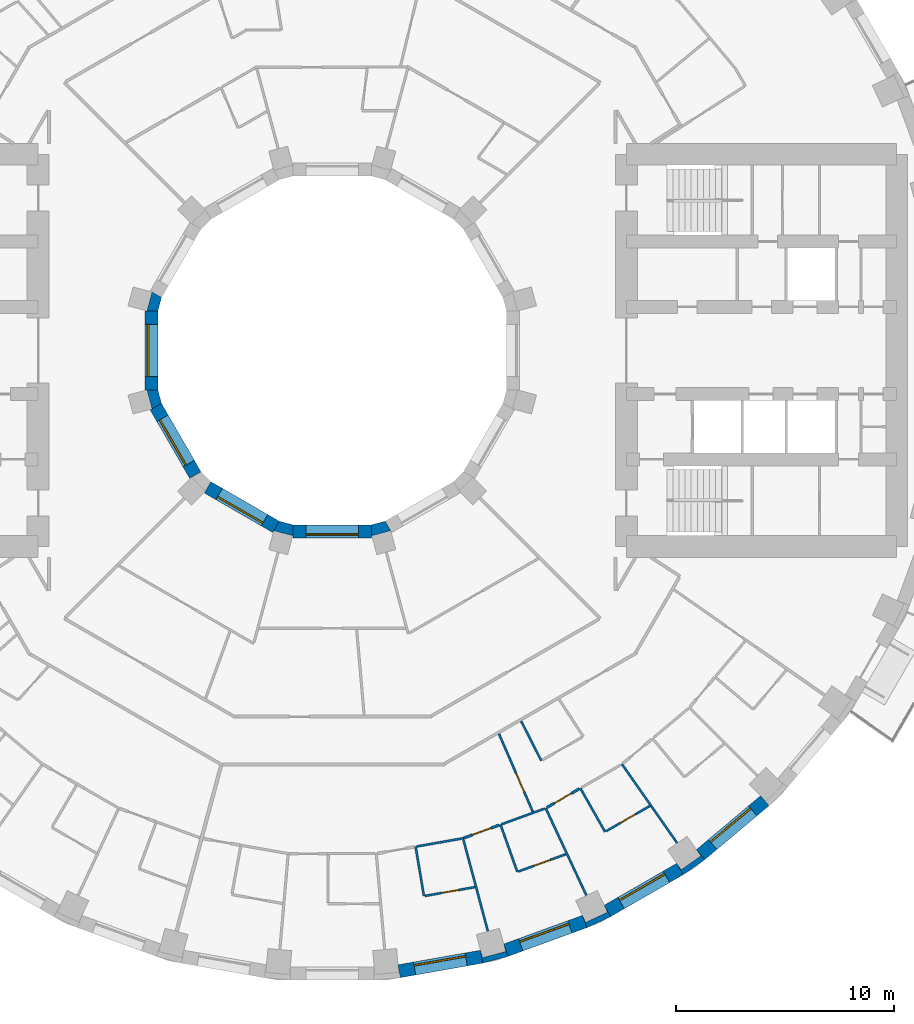
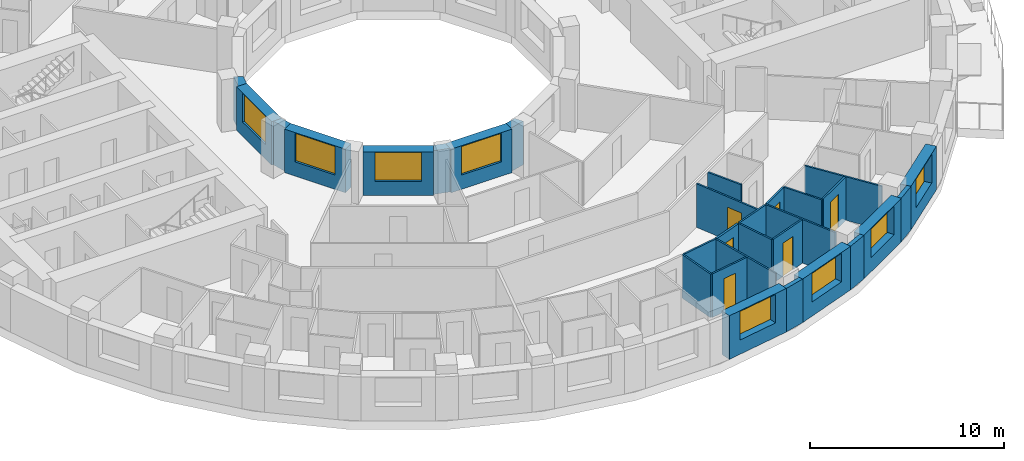
# One storey, part 5 of 14: 30 walls, 8 windows, 6 doors, 14 openings.
"""IFC4 building model written with IfcOpenShell, lengths in metres."""

from ifc_helpers import new_model, si_unit, direction, frame, frame_2d, origin, place, context, subcontext, project, spatial, polyline, rectangle, outline, extrude, material, layer, layer_set, type_object, element, fill, save


model = new_model("IFC4")

# Units and contexts
model_context = context("Model", 3, precision=1e-05, world=origin(), true_north=direction((0.0, 1.0)))
body_context = subcontext(model_context, "Body", "Model", "MODEL_VIEW")
ifc_project = project(units=[si_unit("LENGTHUNIT", "METRE"), si_unit("AREAUNIT", "SQUARE_METRE"), si_unit("VOLUMEUNIT", "CUBIC_METRE"), si_unit("PLANEANGLEUNIT", "RADIAN"), si_unit("MASSUNIT", "GRAM", prefix="KILO")], contexts=[model_context])

# Site, building, storey
site_placement = place(None, origin())
site = spatial("IfcSite", under=ifc_project, at=site_placement, CompositionType="ELEMENT")
building_placement = place(site_placement, origin())
building = spatial("IfcBuilding", under=site, at=building_placement, Name="Saqina Gate Tower", CompositionType="ELEMENT")
storey_placement = place(building_placement, frame((0.0, 0.0, 46.10009765625)))
storey = spatial("IfcBuildingStorey", under=building, at=storey_placement, Name="L12", CompositionType="ELEMENT", Elevation=46.10009765625)

# Walls
ifc_material_1 = material(Name="Brick masonry (red)", Category="masonry")
wall_type_1 = type_object("IfcWallType", Name="BRICK PIER COPING RED", PredefinedType="SOLIDWALL", material=ifc_material_1)
wall_1_placement = place(storey_placement, origin())
element("IfcWall", 1, at=wall_1_placement, inside=storey, type_object=wall_type_1, Name="Pier cap L12 column 29", PredefinedType="SOLIDWALL", context=body_context, shape_type="SweptSolid", body=[
    extrude(outline(polyline([(6.910400390625, -28.11669921875), (8.073974609375, -27.80517578125), (7.86865234375, -27.2412109375), (7.95947265625, -27.57958984375), (6.896728515625, -27.864501953125), (6.80615234375, -27.52587890625), (6.910400390625, -28.11669921875)])), origin(), (0.0, 0.0, 1.0), 2.75),
])
wall_2_placement = place(storey_placement, origin())
element("IfcWall", 2, at=wall_2_placement, inside=storey, type_object=wall_type_1, Name="Pier cap L12 column 30", PredefinedType="SOLIDWALL", context=body_context, shape_type="SweptSolid", body=[
    extrude(outline(polyline([(12.779541015625, -25.980712890625), (12.4794921875, -25.4609375), (12.627685546875, -25.778564453125), (11.630615234375, -26.243408203125), (11.482666015625, -25.92578125), (11.687744140625, -26.48974609375), (12.779541015625, -25.980712890625)])), origin(), (0.0, 0.0, 1.0), 2.75),
])
wall_3_placement = place(storey_placement, origin())
element("IfcWall", 3, at=wall_3_placement, inside=storey, type_object=wall_type_1, Name="Pier cap L12 column 31", PredefinedType="SOLIDWALL", context=body_context, shape_type="SweptSolid", body=[
    extrude(outline(polyline([(16.110107421875, -24.0576171875), (17.096923828125, -23.36669921875), (16.711181640625, -22.9072265625), (16.912109375, -23.194091796875), (16.010986328125, -23.8251953125), (15.81005859375, -23.5380859375), (16.110107421875, -24.0576171875)])), origin(), (0.0, 0.0, 1.0), 2.75),
])

# Wall, opening, window
ifc_material_2 = material(Name="Brick masonry (red)", Category="masonry")
ifc_layer_1 = layer(ifc_material_2, 0.60009765625)
ifc_layer_set_1 = layer_set([ifc_layer_1], Name="FW-BRICK-RED")
wall_type_2 = type_object("IfcWallType", Name="FW-BRICK-RED", PredefinedType="SOLIDWALL", material=ifc_layer_set_1)
wall_4_placement = place(storey_placement, frame((3.07080078125, -28.4892578125, 0.0), z_axis=(0.0, 0.0, 1.0), x_axis=(0.984800809218, 0.173687553279, 0.0)))
wall_4 = element("IfcWall", 4, at=wall_4_placement, inside=storey, type_object=wall_type_2, Name="Facade wall L12 facet 28", PredefinedType="SOLIDWALL", context=body_context, shape_type="SweptSolid", body=[
    extrude(rectangle(XDim=3.845703125, YDim=0.60009765625, at=frame_2d((1.9228515625, 0.0))), origin(), (0.0, 0.0, 1.0), 2.75),
])
opening_1_placement = place(wall_4_placement, frame((0.722900390625, 0.0, 0.89990234375)))
opening_1 = element("IfcOpeningElement", 5, at=opening_1_placement, cuts=wall_4, Name="Opening G03-W21", PredefinedType="OPENING", context=body_context, shape_type="SweptSolid", body=[
    extrude(rectangle(XDim=2.39990234375, YDim=1.800048828125, at=frame_2d((1.199951171875, 0.89990234375))), frame((0.0, 0.31201171875, 0.0), z_axis=(0.0, -1.0, 0.0), x_axis=(1.0, 0.0, 0.0)), (0.0, 0.0, 1.0), 0.6240234375),
])
ifc_material_3 = material(Name="Aluminium glazing", Category="aluminium")
window_type_1 = type_object("IfcWindowType", Name="WN-A", PartitioningType="SINGLE_PANEL", PredefinedType="WINDOW", material=ifc_material_3)
window_1_placement = place(opening_1_placement, origin())
window_1 = element("IfcWindow", 6, at=window_1_placement, inside=storey, type_object=window_type_1, Name="Window L12 facet 28", OverallHeight=1.800048828125, OverallWidth=2.39990234375, PartitioningType="SINGLE_PANEL", PredefinedType="WINDOW", context=body_context, shape_type="SweptSolid", body=[
    extrude(rectangle(XDim=2.39990234375, YDim=1.800048828125, at=frame_2d((1.199951171875, 0.89990234375))), frame((0.0, 0.179931640625, 0.0), z_axis=(0.0, -1.0, 0.0), x_axis=(1.0, 0.0, 0.0)), (0.0, 0.0, 1.0), 0.06005859375),
])
fill(opening_1, window_1)

wall_5_placement = place(storey_placement, frame((7.97119140625, -27.523193359375, 0.0), z_axis=(0.0, 0.0, 1.0), x_axis=(0.939689588564, 0.342028474173, 0.0)))
wall_5 = element("IfcWall", 7, at=wall_5_placement, inside=storey, type_object=wall_type_2, Name="Facade wall L12 facet 29", PredefinedType="SOLIDWALL", context=body_context, shape_type="SweptSolid", body=[
    extrude(rectangle(XDim=3.845947265625, YDim=0.60009765625, at=frame_2d((1.9228515625, 0.0))), origin(), (0.0, 0.0, 1.0), 2.75),
])
opening_2_placement = place(wall_5_placement, frame((0.722900390625, 0.0, 0.89990234375)))
opening_2 = element("IfcOpeningElement", 8, at=opening_2_placement, cuts=wall_5, Name="Opening G03-W22", PredefinedType="OPENING", context=body_context, shape_type="SweptSolid", body=[
    extrude(rectangle(XDim=2.39990234375, YDim=1.800048828125, at=frame_2d((1.199951171875, 0.89990234375))), frame((0.0, 0.31201171875, 0.0), z_axis=(0.0, -1.0, 0.0), x_axis=(1.0, 0.0, 0.0)), (0.0, 0.0, 1.0), 0.6240234375),
])
window_2_placement = place(opening_2_placement, origin())
window_2 = element("IfcWindow", 9, at=window_2_placement, inside=storey, type_object=window_type_1, Name="Window L12 facet 29", OverallHeight=1.800048828125, OverallWidth=2.39990234375, PartitioningType="SINGLE_PANEL", PredefinedType="WINDOW", context=body_context, shape_type="SweptSolid", body=[
    extrude(rectangle(XDim=2.39990234375, YDim=1.800048828125, at=frame_2d((1.199951171875, 0.89990234375))), frame((0.0, 0.179931640625, 0.0), z_axis=(0.0, -1.0, 0.0), x_axis=(1.0, 0.0, 0.0)), (0.0, 0.0, 1.0), 0.06005859375),
])
fill(opening_2, window_2)

wall_6_placement = place(storey_placement, frame((12.629638671875, -25.720703125, 0.0), z_axis=(0.0, 0.0, 1.0), x_axis=(0.86603124159, 0.499989888488, 0.0)))
wall_6 = element("IfcWall", 10, at=wall_6_placement, inside=storey, type_object=wall_type_2, Name="Facade wall L12 facet 30", PredefinedType="SOLIDWALL", context=body_context, shape_type="SweptSolid", body=[
    extrude(rectangle(XDim=3.845703125, YDim=0.60009765625, at=frame_2d((1.9228515625, 0.0))), origin(), (0.0, 0.0, 1.0), 2.75),
])
opening_3_placement = place(wall_6_placement, frame((0.722900390625, 0.0, 0.89990234375)))
opening_3 = element("IfcOpeningElement", 11, at=opening_3_placement, cuts=wall_6, Name="Opening G03-W23", PredefinedType="OPENING", context=body_context, shape_type="SweptSolid", body=[
    extrude(rectangle(XDim=2.39990234375, YDim=1.800048828125, at=frame_2d((1.199951171875, 0.89990234375))), frame((0.0, 0.31201171875, 0.0), z_axis=(0.0, -1.0, 0.0), x_axis=(1.0, 0.0, 0.0)), (0.0, 0.0, 1.0), 0.6240234375),
])
window_3_placement = place(opening_3_placement, origin())
window_3 = element("IfcWindow", 12, at=window_3_placement, inside=storey, type_object=window_type_1, Name="Window L12 facet 30", OverallHeight=1.800048828125, OverallWidth=2.39990234375, PartitioningType="SINGLE_PANEL", PredefinedType="WINDOW", context=body_context, shape_type="SweptSolid", body=[
    extrude(rectangle(XDim=2.39990234375, YDim=1.800048828125, at=frame_2d((1.199951171875, 0.89990234375))), frame((0.0, 0.179931640625, 0.0), z_axis=(0.0, -1.0, 0.0), x_axis=(1.0, 0.0, 0.0)), (0.0, 0.0, 1.0), 0.06005859375),
])
fill(opening_3, window_3)

wall_7_placement = place(storey_placement, frame((16.904052734375, -23.136962890625, 0.0), z_axis=(0.0, 0.0, 1.0), x_axis=(0.766026164483, 0.642809392687, 0.0)))
wall_7 = element("IfcWall", 13, at=wall_7_placement, inside=storey, type_object=wall_type_2, Name="Facade wall L12 facet 31", PredefinedType="SOLIDWALL", context=body_context, shape_type="SweptSolid", body=[
    extrude(rectangle(XDim=3.845947265625, YDim=0.60009765625, at=frame_2d((1.9228515625, 0.0))), origin(), (0.0, 0.0, 1.0), 2.75),
])
opening_4_placement = place(wall_7_placement, frame((0.722900390625, 0.0, 0.89990234375)))
opening_4 = element("IfcOpeningElement", 14, at=opening_4_placement, cuts=wall_7, Name="Opening G03-W24", PredefinedType="OPENING", context=body_context, shape_type="SweptSolid", body=[
    extrude(rectangle(XDim=2.39990234375, YDim=1.800048828125, at=frame_2d((1.199951171875, 0.89990234375))), frame((0.0, 0.31201171875, 0.0), z_axis=(0.0, -1.0, 0.0), x_axis=(1.0, 0.0, 0.0)), (0.0, 0.0, 1.0), 0.6240234375),
])
window_4_placement = place(opening_4_placement, origin())
window_4 = element("IfcWindow", 15, at=window_4_placement, inside=storey, type_object=window_type_1, Name="Window L12 facet 31", OverallHeight=1.800048828125, OverallWidth=2.39990234375, PartitioningType="SINGLE_PANEL", PredefinedType="WINDOW", context=body_context, shape_type="SweptSolid", body=[
    extrude(rectangle(XDim=2.39990234375, YDim=1.800048828125, at=frame_2d((1.199951171875, 0.89990234375))), frame((0.0, 0.179931640625, 0.0), z_axis=(0.0, -1.0, 0.0), x_axis=(1.0, 0.0, 0.0)), (0.0, 0.0, 1.0), 0.06005859375),
])
fill(opening_4, window_4)

ifc_material_4 = material(Name="Glazed ceramic tile", Category="ceramic")
ifc_layer_2 = layer(ifc_material_4, 0.60009765625)
ifc_layer_set_2 = layer_set([ifc_layer_2], Name="IW-TILE")
wall_type_3 = type_object("IfcWallType", Name="IW-TILE", PredefinedType="SOLIDWALL", material=ifc_layer_set_2)
wall_8_placement = place(storey_placement, frame((-8.300048828125, 1.8125, 0.0), z_axis=(0.0, 0.0, 1.0), x_axis=(0.0, -1.0, 0.0)))
wall_8 = element("IfcWall", 16, at=wall_8_placement, inside=storey, type_object=wall_type_3, Name="Well wall L12 facet 6", PredefinedType="SOLIDWALL", context=body_context, shape_type="SweptSolid", body=[
    extrude(rectangle(XDim=3.625, YDim=0.60009765625, at=frame_2d((1.8125, 0.0))), origin(), (0.0, 0.0, 1.0), 2.75),
])
opening_5_placement = place(wall_8_placement, frame((0.612548828125, 0.0, 0.89990234375)))
opening_5 = element("IfcOpeningElement", 17, at=opening_5_placement, cuts=wall_8, Name="Opening G03-W31", PredefinedType="OPENING", context=body_context, shape_type="SweptSolid", body=[
    extrude(rectangle(XDim=2.39990234375, YDim=1.800048828125, at=frame_2d((1.199951171875, 0.89990234375))), frame((0.0, 0.31201171875, 0.0), z_axis=(0.0, -1.0, 0.0), x_axis=(1.0, 0.0, 0.0)), (0.0, 0.0, 1.0), 0.6240234375),
])
ifc_material_5 = material(Name="Aluminium glazing", Category="aluminium")
window_type_2 = type_object("IfcWindowType", Name="WN-W", PartitioningType="SINGLE_PANEL", PredefinedType="WINDOW", material=ifc_material_5)
window_5_placement = place(opening_5_placement, origin())
window_5 = element("IfcWindow", 18, at=window_5_placement, inside=storey, type_object=window_type_2, Name="Well window L12 facet 6", OverallHeight=1.800048828125, OverallWidth=2.39990234375, PartitioningType="SINGLE_PANEL", PredefinedType="WINDOW", context=body_context, shape_type="SweptSolid", body=[
    extrude(rectangle(XDim=2.39990234375, YDim=1.800048828125, at=frame_2d((1.199951171875, 0.89990234375))), frame((0.0, -0.119873046875, 0.0), z_axis=(0.0, -1.0, 0.0), x_axis=(1.0, 0.0, 0.0)), (0.0, 0.0, 1.0), 0.06005859375),
])
fill(opening_5, window_5)

wall_9_placement = place(storey_placement, frame((-8.09423828125, -2.580322265625, 0.0), z_axis=(0.0, 0.0, 1.0), x_axis=(0.499992569217, -0.866029693906, 0.0)))
wall_9 = element("IfcWall", 19, at=wall_9_placement, inside=storey, type_object=wall_type_3, Name="Well wall L12 facet 7", PredefinedType="SOLIDWALL", context=body_context, shape_type="SweptSolid", body=[
    extrude(rectangle(XDim=3.625, YDim=0.60009765625, at=frame_2d((1.8125, 0.0))), origin(), (0.0, 0.0, 1.0), 2.75),
])
opening_6_placement = place(wall_9_placement, frame((0.612548828125, 0.0, 0.89990234375)))
opening_6 = element("IfcOpeningElement", 20, at=opening_6_placement, cuts=wall_9, Name="Opening G03-W32", PredefinedType="OPENING", context=body_context, shape_type="SweptSolid", body=[
    extrude(rectangle(XDim=2.39990234375, YDim=1.800048828125, at=frame_2d((1.199951171875, 0.89990234375))), frame((0.0, 0.31201171875, 0.0), z_axis=(0.0, -1.0, 0.0), x_axis=(1.0, 0.0, 0.0)), (0.0, 0.0, 1.0), 0.6240234375),
])
window_6_placement = place(opening_6_placement, origin())
window_6 = element("IfcWindow", 21, at=window_6_placement, inside=storey, type_object=window_type_2, Name="Well window L12 facet 7", OverallHeight=1.800048828125, OverallWidth=2.39990234375, PartitioningType="SINGLE_PANEL", PredefinedType="WINDOW", context=body_context, shape_type="SweptSolid", body=[
    extrude(rectangle(XDim=2.39990234375, YDim=1.800048828125, at=frame_2d((1.199951171875, 0.89990234375))), frame((0.0, -0.119873046875, 0.0), z_axis=(0.0, -1.0, 0.0), x_axis=(1.0, 0.0, 0.0)), (0.0, 0.0, 1.0), 0.06005859375),
])
fill(opening_6, window_6)

wall_10_placement = place(storey_placement, frame((-5.7197265625, -6.28173828125, 0.0), z_axis=(0.0, 0.0, 1.0), x_axis=(0.866029693906, -0.499992569217, 0.0)))
wall_10 = element("IfcWall", 22, at=wall_10_placement, inside=storey, type_object=wall_type_3, Name="Well wall L12 facet 8", PredefinedType="SOLIDWALL", context=body_context, shape_type="SweptSolid", body=[
    extrude(rectangle(XDim=3.625, YDim=0.60009765625, at=frame_2d((1.8125, 0.0))), origin(), (0.0, 0.0, 1.0), 2.75),
])
opening_7_placement = place(wall_10_placement, frame((0.612548828125, 0.0, 0.89990234375)))
opening_7 = element("IfcOpeningElement", 23, at=opening_7_placement, cuts=wall_10, Name="Opening G03-W33", PredefinedType="OPENING", context=body_context, shape_type="SweptSolid", body=[
    extrude(rectangle(XDim=2.39990234375, YDim=1.800048828125, at=frame_2d((1.199951171875, 0.89990234375))), frame((0.0, 0.31201171875, 0.0), z_axis=(0.0, -1.0, 0.0), x_axis=(1.0, 0.0, 0.0)), (0.0, 0.0, 1.0), 0.6240234375),
])
window_7_placement = place(opening_7_placement, origin())
window_7 = element("IfcWindow", 24, at=window_7_placement, inside=storey, type_object=window_type_2, Name="Well window L12 facet 8", OverallHeight=1.800048828125, OverallWidth=2.39990234375, PartitioningType="SINGLE_PANEL", PredefinedType="WINDOW", context=body_context, shape_type="SweptSolid", body=[
    extrude(rectangle(XDim=2.39990234375, YDim=1.800048828125, at=frame_2d((1.199951171875, 0.89990234375))), frame((0.0, -0.119873046875, 0.0), z_axis=(0.0, -1.0, 0.0), x_axis=(1.0, 0.0, 0.0)), (0.0, 0.0, 1.0), 0.06005859375),
])
fill(opening_7, window_7)

wall_11_placement = place(storey_placement, frame((-1.8125, -8.300048828125, 0.0), z_axis=(0.0, 0.0, 1.0), x_axis=(1.0, 0.0, 0.0)))
wall_11 = element("IfcWall", 25, at=wall_11_placement, inside=storey, type_object=wall_type_3, Name="Well wall L12 facet 9", PredefinedType="SOLIDWALL", context=body_context, shape_type="SweptSolid", body=[
    extrude(rectangle(XDim=3.625, YDim=0.60009765625, at=frame_2d((1.8125, 0.0))), origin(), (0.0, 0.0, 1.0), 2.75),
])
opening_8_placement = place(wall_11_placement, frame((0.612548828125, 0.0, 0.89990234375)))
opening_8 = element("IfcOpeningElement", 26, at=opening_8_placement, cuts=wall_11, Name="Opening G03-W34", PredefinedType="OPENING", context=body_context, shape_type="SweptSolid", body=[
    extrude(rectangle(XDim=2.39990234375, YDim=1.800048828125, at=frame_2d((1.199951171875, 0.89990234375))), frame((0.0, 0.31201171875, 0.0), z_axis=(0.0, -1.0, 0.0), x_axis=(1.0, 0.0, 0.0)), (0.0, 0.0, 1.0), 0.6240234375),
])
window_8_placement = place(opening_8_placement, origin())
window_8 = element("IfcWindow", 27, at=window_8_placement, inside=storey, type_object=window_type_2, Name="Well window L12 facet 9", OverallHeight=1.800048828125, OverallWidth=2.39990234375, PartitioningType="SINGLE_PANEL", PredefinedType="WINDOW", context=body_context, shape_type="SweptSolid", body=[
    extrude(rectangle(XDim=2.39990234375, YDim=1.800048828125, at=frame_2d((1.199951171875, 0.89990234375))), frame((0.0, -0.119873046875, 0.0), z_axis=(0.0, -1.0, 0.0), x_axis=(1.0, 0.0, 0.0)), (0.0, 0.0, 1.0), 0.06005859375),
])
fill(opening_8, window_8)

# Walls
ifc_material_6 = material(Name="Gypsum board on steel studs, 100 mm", Category="steel")
ifc_layer_3 = layer(ifc_material_6, 0.10009765625)
ifc_layer_set_3 = layer_set([ifc_layer_3], Name="PARTITION 100")
wall_type_4 = type_object("IfcWallType", Name="PARTITION 100", PredefinedType="PARTITIONING", material=ifc_layer_set_3)
wall_12_placement = place(storey_placement, frame((3.826904296875, -22.77099609375, 0.0), z_axis=(0.0, 0.0, 1.0), x_axis=(0.165707124798, -0.98617500921, 0.0)))
element("IfcWall", 28, at=wall_12_placement, inside=storey, type_object=wall_type_4, Name="PARTITION PW3-05", PredefinedType="PARTITIONING", context=body_context, shape_type="SweptSolid", body=[
    extrude(rectangle(XDim=2.2998046875, YDim=0.10009765625, at=frame_2d((1.14990234375, 0.0))), origin(), (0.0, 0.0, 1.0), 2.75),
])
wall_13_placement = place(storey_placement, frame((6.018310546875, -22.447509765625, 0.0), z_axis=(0.0, 0.0, 1.0), x_axis=(0.258193625059, -0.966093190111, 0.0)))
element("IfcWall", 29, at=wall_13_placement, inside=storey, type_object=wall_type_4, Name="PARTITION PW3-08", PredefinedType="PARTITIONING", context=body_context, shape_type="SweptSolid", body=[
    extrude(rectangle(XDim=4.349609375, YDim=0.10009765625, at=frame_2d((2.1748046875, 0.0))), origin(), (0.0, 0.0, 1.0), 2.75),
])
wall_14_placement = place(storey_placement, frame((7.722900390625, -21.760009765625, 0.0), z_axis=(0.0, 0.0, 1.0), x_axis=(0.334695622164, -0.942326291952, 0.0)))
element("IfcWall", 30, at=wall_14_placement, inside=storey, type_object=wall_type_4, Name="PARTITION PW3-11", PredefinedType="PARTITIONING", context=body_context, shape_type="SweptSolid", body=[
    extrude(rectangle(XDim=2.300537109375, YDim=0.10009765625, at=frame_2d((1.150390625, 0.0))), origin(), (0.0, 0.0, 1.0), 2.75),
])

# Wall, opening, door
wall_15_placement = place(storey_placement, frame((7.64990234375, -17.59423828125, 0.0), z_axis=(0.0, 0.0, 1.0), x_axis=(0.398813158587, -0.917032204744, 0.0)))
wall_15 = element("IfcWall", 31, at=wall_15_placement, inside=storey, type_object=wall_type_4, Name="PARTITION PW3-14", PredefinedType="PARTITIONING", context=body_context, shape_type="SweptSolid", body=[
    extrude(rectangle(XDim=3.89697265625, YDim=0.10009765625, at=frame_2d((1.948486328125, 0.0))), origin(), (0.0, 0.0, 1.0), 2.75),
])
opening_9_placement = place(wall_15_placement, frame((1.9921875, 0.0, 0.0)))
opening_9 = element("IfcOpeningElement", 32, at=opening_9_placement, cuts=wall_15, Name="Opening G03-D64", PredefinedType="OPENING", context=body_context, shape_type="SweptSolid", body=[
    extrude(rectangle(XDim=0.89990234375, YDim=2.10009765625, at=frame_2d((0.449951171875, 1.050048828125))), frame((0.0, 0.06201171875, 0.0), z_axis=(0.0, -1.0, 0.0), x_axis=(1.0, 0.0, 0.0)), (0.0, 0.0, 1.0), 0.1240234375),
])
ifc_material_7 = material(Name="Timber door leaf, 900 mm", Category="wood")
door_type_1 = type_object("IfcDoorType", Name="DOOR 900 TIMBER", OperationType="SINGLE_SWING_LEFT", PredefinedType="DOOR", material=ifc_material_7)
door_1_placement = place(opening_9_placement, frame((0.89990234375, 0.0, 0.0), z_axis=(0.0, 0.0, 1.0), x_axis=(-1.0, 0.0, 0.0)))
door_1 = element("IfcDoor", 33, at=door_1_placement, inside=storey, type_object=door_type_1, Name="DOOR G03-D64", OperationType="SINGLE_SWING_LEFT", OverallHeight=2.10009765625, OverallWidth=0.89990234375, PredefinedType="DOOR", context=body_context, shape_type="SweptSolid", body=[
    extrude(rectangle(XDim=0.89990234375, YDim=2.10009765625, at=frame_2d((0.449951171875, 1.050048828125))), frame((0.0, 0.02490234375, 0.0), z_axis=(0.0, -1.0, 0.0), x_axis=(1.0, 0.0, 0.0)), (0.0, 0.0, 1.0), 0.050048828125),
])
fill(opening_9, door_1)

# Walls
wall_16_placement = place(storey_placement, frame((9.794921875, -21.006103515625, 0.0), z_axis=(0.0, 0.0, 1.0), x_axis=(0.422658280027, -0.906289125127, 0.0)))
element("IfcWall", 34, at=wall_16_placement, inside=storey, type_object=wall_type_4, Name="PARTITION PW3-16", PredefinedType="PARTITIONING", context=body_context, shape_type="SweptSolid", body=[
    extrude(rectangle(XDim=4.41259765625, YDim=0.10009765625, at=frame_2d((2.206298828125, 0.0))), origin(), (0.0, 0.0, 1.0), 2.75),
])
wall_17_placement = place(storey_placement, frame((8.66650390625, -17.0078125, 0.0), z_axis=(0.0, 0.0, 1.0), x_axis=(0.453664033068, -0.891172791944, 0.0)))
element("IfcWall", 35, at=wall_17_placement, inside=storey, type_object=wall_type_4, Name="PARTITION PW3-17", PredefinedType="PARTITIONING", context=body_context, shape_type="SweptSolid", body=[
    extrude(rectangle(XDim=2.0400390625, YDim=0.10009765625, at=frame_2d((1.02001953125, 0.0))), origin(), (0.0, 0.0, 1.0), 2.75),
])
wall_18_placement = place(storey_placement, frame((11.385009765625, -20.089111328125, 0.0), z_axis=(0.0, 0.0, 1.0), x_axis=(0.49306078006, -0.869994866173, 0.0)))
element("IfcWall", 36, at=wall_18_placement, inside=storey, type_object=wall_type_4, Name="PARTITION PW3-19", PredefinedType="PARTITIONING", context=body_context, shape_type="SweptSolid", body=[
    extrude(rectangle(XDim=2.300048828125, YDim=0.10009765625, at=frame_2d((1.14990234375, 0.0))), origin(), (0.0, 0.0, 1.0), 2.75),
])
wall_19_placement = place(storey_placement, frame((13.2939453125, -18.986083984375, 0.0), z_axis=(0.0, 0.0, 1.0), x_axis=(0.573391786342, -0.819281306607, 0.0)))
element("IfcWall", 37, at=wall_19_placement, inside=storey, type_object=wall_type_4, Name="PARTITION PW3-25", PredefinedType="PARTITIONING", context=body_context, shape_type="SweptSolid", body=[
    extrude(rectangle(XDim=4.412353515625, YDim=0.10009765625, at=frame_2d((2.2060546875, 0.0))), origin(), (0.0, 0.0, 1.0), 2.75),
])

# Wall, opening, door
wall_20_placement = place(storey_placement, frame((4.25732421875, -25.0302734375, 0.0), z_axis=(0.0, 0.0, 1.0), x_axis=(0.984818426074, 0.173587636842, 0.0)))
wall_20 = element("IfcWall", 38, at=wall_20_placement, inside=storey, type_object=wall_type_4, Name="PARTITION PW3-70", PredefinedType="PARTITIONING", context=body_context, shape_type="SweptSolid", body=[
    extrude(rectangle(XDim=2.324951171875, YDim=0.10009765625, at=frame_2d((1.16259765625, 0.0))), origin(), (0.0, 0.0, 1.0), 2.75),
])
opening_10_placement = place(wall_20_placement, frame((0.762451171875, 0.0, 0.0)))
opening_10 = element("IfcOpeningElement", 39, at=opening_10_placement, cuts=wall_20, Name="Opening G03-D61", PredefinedType="OPENING", context=body_context, shape_type="SweptSolid", body=[
    extrude(rectangle(XDim=0.800048828125, YDim=2.10009765625, at=frame_2d((0.39990234375, 1.050048828125))), frame((0.0, 0.06201171875, 0.0), z_axis=(0.0, -1.0, 0.0), x_axis=(1.0, 0.0, 0.0)), (0.0, 0.0, 1.0), 0.1240234375),
])
ifc_material_8 = material(Name="Timber door leaf, 800 mm", Category="wood")
door_type_2 = type_object("IfcDoorType", Name="DOOR 800 TIMBER", OperationType="SINGLE_SWING_LEFT", PredefinedType="DOOR", material=ifc_material_8)
door_2_placement = place(opening_10_placement, frame((0.800048828125, 0.0, 0.0), z_axis=(0.0, 0.0, 1.0), x_axis=(-1.0, 0.0, 0.0)))
door_2 = element("IfcDoor", 40, at=door_2_placement, inside=storey, type_object=door_type_2, Name="DOOR G03-D61", OperationType="SINGLE_SWING_RIGHT", OverallHeight=2.10009765625, OverallWidth=0.800048828125, PredefinedType="DOOR", context=body_context, shape_type="SweptSolid", body=[
    extrude(rectangle(XDim=0.800048828125, YDim=2.10009765625, at=frame_2d((0.39990234375, 1.050048828125))), frame((0.0, 0.02490234375, 0.0), z_axis=(0.0, -1.0, 0.0), x_axis=(1.0, 0.0, 0.0)), (0.0, 0.0, 1.0), 0.050048828125),
])
fill(opening_10, door_2)

# Wall
wall_21_placement = place(storey_placement, frame((3.876220703125, -22.76220703125, 0.0), z_axis=(0.0, 0.0, 1.0), x_axis=(0.98481362095, 0.173614895648, 0.0)))
element("IfcWall", 41, at=wall_21_placement, inside=storey, type_object=wall_type_4, Name="PARTITION PW3-71", PredefinedType="PARTITIONING", context=body_context, shape_type="SweptSolid", body=[
    extrude(rectangle(XDim=2.206298828125, YDim=0.10009765625, at=frame_2d((1.10302734375, 0.0))), origin(), (0.0, 0.0, 1.0), 2.75),
])

# Wall, opening, door
wall_22_placement = place(storey_placement, frame((8.5400390625, -23.910888671875, 0.0), z_axis=(0.0, 0.0, 1.0), x_axis=(0.939716717369, 0.34195393125, 0.0)))
wall_22 = element("IfcWall", 42, at=wall_22_placement, inside=storey, type_object=wall_type_4, Name="PARTITION PW3-74", PredefinedType="PARTITIONING", context=body_context, shape_type="SweptSolid", body=[
    extrude(rectangle(XDim=2.323974609375, YDim=0.10009765625, at=frame_2d((1.162109375, 0.0))), origin(), (0.0, 0.0, 1.0), 2.75),
])
opening_11_placement = place(wall_22_placement, frame((0.76220703125, 0.0, 0.0)))
opening_11 = element("IfcOpeningElement", 43, at=opening_11_placement, cuts=wall_22, Name="Opening G03-D63", PredefinedType="OPENING", context=body_context, shape_type="SweptSolid", body=[
    extrude(rectangle(XDim=0.800048828125, YDim=2.10009765625, at=frame_2d((0.39990234375, 1.050048828125))), frame((0.0, 0.06201171875, 0.0), z_axis=(0.0, -1.0, 0.0), x_axis=(1.0, 0.0, 0.0)), (0.0, 0.0, 1.0), 0.1240234375),
])
door_3_placement = place(opening_11_placement, frame((0.800048828125, 0.0, 0.0), z_axis=(0.0, 0.0, 1.0), x_axis=(-1.0, 0.0, 0.0)))
door_3 = element("IfcDoor", 44, at=door_3_placement, inside=storey, type_object=door_type_2, Name="DOOR G03-D63", OperationType="SINGLE_SWING_LEFT", OverallHeight=2.10009765625, OverallWidth=0.800048828125, PredefinedType="DOOR", context=body_context, shape_type="SweptSolid", body=[
    extrude(rectangle(XDim=0.800048828125, YDim=2.10009765625, at=frame_2d((0.39990234375, 1.050048828125))), frame((0.0, 0.02490234375, 0.0), z_axis=(0.0, -1.0, 0.0), x_axis=(1.0, 0.0, 0.0)), (0.0, 0.0, 1.0), 0.050048828125),
])
fill(opening_11, door_3)

# Wall
wall_23_placement = place(storey_placement, frame((7.77001953125, -21.742919921875, 0.0), z_axis=(0.0, 0.0, 1.0), x_axis=(0.939725675468, 0.341929312674, 0.0)))
element("IfcWall", 45, at=wall_23_placement, inside=storey, type_object=wall_type_4, Name="PARTITION PW3-75", PredefinedType="PARTITIONING", context=body_context, shape_type="SweptSolid", body=[
    extrude(rectangle(XDim=2.10498046875, YDim=0.10009765625, at=frame_2d((1.052490234375, 0.0))), origin(), (0.0, 0.0, 1.0), 2.75),
])

# Wall, opening, door
wall_24_placement = place(storey_placement, frame((12.562255859375, -22.06494140625, 0.0), z_axis=(0.0, 0.0, 1.0), x_axis=(0.865919666768, 0.50018309718, 0.0)))
wall_24 = element("IfcWall", 46, at=wall_24_placement, inside=storey, type_object=wall_type_4, Name="PARTITION PW3-79", PredefinedType="PARTITIONING", context=body_context, shape_type="SweptSolid", body=[
    extrude(rectangle(XDim=2.324462890625, YDim=0.10009765625, at=frame_2d((1.162109375, 0.0))), origin(), (0.0, 0.0, 1.0), 2.75),
])
opening_12_placement = place(wall_24_placement, frame((0.76220703125, 0.0, 0.0)))
opening_12 = element("IfcOpeningElement", 47, at=opening_12_placement, cuts=wall_24, Name="Opening G03-D69", PredefinedType="OPENING", context=body_context, shape_type="SweptSolid", body=[
    extrude(rectangle(XDim=0.800048828125, YDim=2.10009765625, at=frame_2d((0.39990234375, 1.050048828125))), frame((0.0, 0.06201171875, 0.0), z_axis=(0.0, -1.0, 0.0), x_axis=(1.0, 0.0, 0.0)), (0.0, 0.0, 1.0), 0.1240234375),
])
door_4_placement = place(opening_12_placement, frame((0.800048828125, 0.0, 0.0), z_axis=(0.0, 0.0, 1.0), x_axis=(-1.0, 0.0, 0.0)))
door_4 = element("IfcDoor", 48, at=door_4_placement, inside=storey, type_object=door_type_2, Name="DOOR G03-D69", OperationType="SINGLE_SWING_RIGHT", OverallHeight=2.10009765625, OverallWidth=0.800048828125, PredefinedType="DOOR", context=body_context, shape_type="SweptSolid", body=[
    extrude(rectangle(XDim=0.800048828125, YDim=2.10009765625, at=frame_2d((0.39990234375, 1.050048828125))), frame((0.0, 0.02490234375, 0.0), z_axis=(0.0, -1.0, 0.0), x_axis=(1.0, 0.0, 0.0)), (0.0, 0.0, 1.0), 0.050048828125),
])
fill(opening_12, door_4)

ifc_material_9 = material(Name="Gypsum board on steel studs, 125 mm, fire rated", Category="steel")
ifc_layer_4 = layer(ifc_material_9, 0.125)
ifc_layer_set_4 = layer_set([ifc_layer_4], Name="PARTITION EI 30 125")
wall_type_5 = type_object("IfcWallType", Name="PARTITION EI 30 125", PredefinedType="PARTITIONING", material=ifc_layer_set_4)
wall_25_placement = place(storey_placement, frame((6.0458984375, -22.370849609375, 0.0), z_axis=(0.0, 0.0, 1.0), x_axis=(0.939612508188, 0.342240170722, 0.0)))
wall_25 = element("IfcWall", 49, at=wall_25_placement, inside=storey, type_object=wall_type_5, Name="PARTITION PW1-33", PredefinedType="PARTITIONING", context=body_context, shape_type="SweptSolid", body=[
    extrude(rectangle(XDim=1.73486328125, YDim=0.125, at=frame_2d((0.867431640625, 0.0))), origin(), (0.0, 0.0, 1.0), 2.75),
])
opening_13_placement = place(wall_25_placement, frame((0.41748046875, 0.0, 0.0)))
opening_13 = element("IfcOpeningElement", 50, at=opening_13_placement, cuts=wall_25, Name="Opening G03-D62", PredefinedType="OPENING", context=body_context, shape_type="SweptSolid", body=[
    extrude(rectangle(XDim=0.89990234375, YDim=2.10009765625, at=frame_2d((0.449951171875, 1.050048828125))), frame((0.0, 0.074462890625, 0.0), z_axis=(0.0, -1.0, 0.0), x_axis=(1.0, 0.0, 0.0)), (0.0, 0.0, 1.0), 0.14892578125),
])
ifc_material_10 = material(Name="Fire door leaf EI 30, 900 mm")
door_type_3 = type_object("IfcDoorType", Name="DOOR 900 EI 30", OperationType="SINGLE_SWING_LEFT", PredefinedType="DOOR", material=ifc_material_10)
door_5_placement = place(opening_13_placement, origin())
door_5 = element("IfcDoor", 51, at=door_5_placement, inside=storey, type_object=door_type_3, Name="DOOR G03-D62", OperationType="SINGLE_SWING_LEFT", OverallHeight=2.10009765625, OverallWidth=0.89990234375, PredefinedType="DOOR", context=body_context, shape_type="SweptSolid", body=[
    extrude(rectangle(XDim=0.89990234375, YDim=2.10009765625, at=frame_2d((0.449951171875, 1.050048828125))), frame((0.0, 0.02490234375, 0.0), z_axis=(0.0, -1.0, 0.0), x_axis=(1.0, 0.0, 0.0)), (0.0, 0.0, 1.0), 0.050048828125),
])
fill(opening_13, door_5)

wall_26_placement = place(storey_placement, frame((9.83837890625, -20.98095703125, 0.0), z_axis=(0.0, 0.0, 1.0), x_axis=(0.866288616225, 0.499543825303, 0.0)))
wall_26 = element("IfcWall", 52, at=wall_26_placement, inside=storey, type_object=wall_type_5, Name="PARTITION PW1-35", PredefinedType="PARTITIONING", context=body_context, shape_type="SweptSolid", body=[
    extrude(rectangle(XDim=1.7353515625, YDim=0.125, at=frame_2d((0.86767578125, 0.0))), origin(), (0.0, 0.0, 1.0), 2.75),
])
opening_14_placement = place(wall_26_placement, frame((0.417724609375, 0.0, 0.0)))
opening_14 = element("IfcOpeningElement", 53, at=opening_14_placement, cuts=wall_26, Name="Opening G03-D65", PredefinedType="OPENING", context=body_context, shape_type="SweptSolid", body=[
    extrude(rectangle(XDim=0.89990234375, YDim=2.10009765625, at=frame_2d((0.449951171875, 1.050048828125))), frame((0.0, 0.074462890625, 0.0), z_axis=(0.0, -1.0, 0.0), x_axis=(1.0, 0.0, 0.0)), (0.0, 0.0, 1.0), 0.14892578125),
])
door_6_placement = place(opening_14_placement, origin())
door_6 = element("IfcDoor", 54, at=door_6_placement, inside=storey, type_object=door_type_3, Name="DOOR G03-D65", OperationType="SINGLE_SWING_LEFT", OverallHeight=2.10009765625, OverallWidth=0.89990234375, PredefinedType="DOOR", context=body_context, shape_type="SweptSolid", body=[
    extrude(rectangle(XDim=0.89990234375, YDim=2.10009765625, at=frame_2d((0.449951171875, 1.050048828125))), frame((0.0, 0.02490234375, 0.0), z_axis=(0.0, -1.0, 0.0), x_axis=(1.0, 0.0, 0.0)), (0.0, 0.0, 1.0), 0.050048828125),
])
fill(opening_14, door_6)

# Walls
ifc_material_11 = material(Name="Glazed ceramic tile", Category="ceramic")
wall_type_6 = type_object("IfcWallType", Name="TILE PIER COPING", PredefinedType="SOLIDWALL", material=ifc_material_11)
wall_27_placement = place(storey_placement, origin())
element("IfcWall", 55, at=wall_27_placement, inside=storey, type_object=wall_type_6, Name="Well pier cap L12 column 6", PredefinedType="SOLIDWALL", context=body_context, shape_type="SweptSolid", body=[
    extrude(outline(polyline([(-8.502685546875, 1.8125), (-8.0, 1.8125), (-7.83447265625, 2.430419921875), (-8.27001953125, 2.681884765625), (-8.502685546875, 1.8125)])), origin(), (0.0, 0.0, 1.0), 2.75),
])
wall_28_placement = place(storey_placement, origin())
element("IfcWall", 56, at=wall_28_placement, inside=storey, type_object=wall_type_6, Name="Well pier cap L12 column 7", PredefinedType="SOLIDWALL", context=body_context, shape_type="SweptSolid", body=[
    extrude(outline(polyline([(-8.27001953125, -2.681884765625), (-7.83447265625, -2.430419921875), (-8.0, -1.8125), (-8.502685546875, -1.8125), (-8.27001953125, -2.681884765625)])), origin(), (0.0, 0.0, 1.0), 2.75),
])
wall_29_placement = place(storey_placement, origin())
element("IfcWall", 57, at=wall_29_placement, inside=storey, type_object=wall_type_6, Name="Well pier cap L12 column 9", PredefinedType="SOLIDWALL", context=body_context, shape_type="SweptSolid", body=[
    extrude(outline(polyline([(-1.8125, -8.502685546875), (-1.8125, -8.0), (-2.430419921875, -7.83447265625), (-2.681884765625, -8.27001953125), (-1.8125, -8.502685546875)])), origin(), (0.0, 0.0, 1.0), 2.75),
])
wall_30_placement = place(storey_placement, origin())
element("IfcWall", 58, at=wall_30_placement, inside=storey, type_object=wall_type_6, Name="Well pier cap L12 column 10", PredefinedType="SOLIDWALL", context=body_context, shape_type="SweptSolid", body=[
    extrude(outline(polyline([(2.681884765625, -8.27001953125), (2.430419921875, -7.83447265625), (1.8125, -8.0), (1.8125, -8.502685546875), (2.681884765625, -8.27001953125)])), origin(), (0.0, 0.0, 1.0), 2.75),
])

save(model, "model.ifc")
